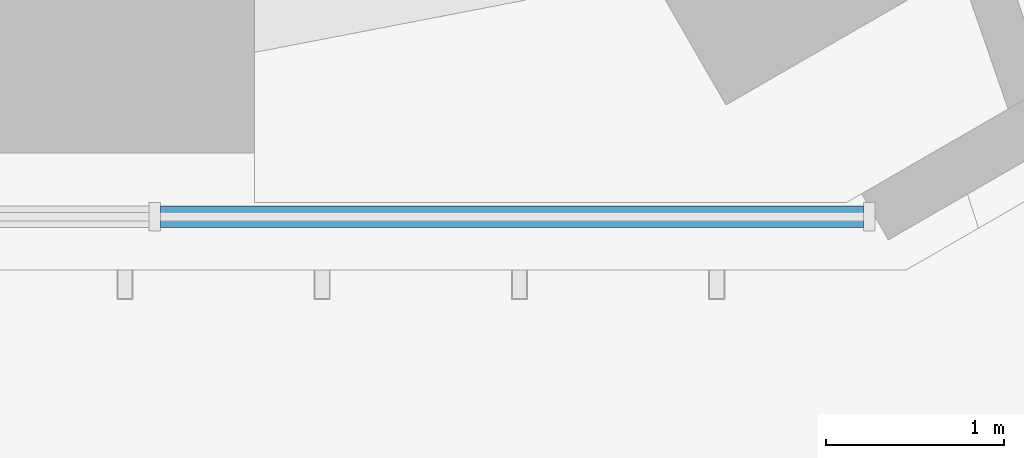
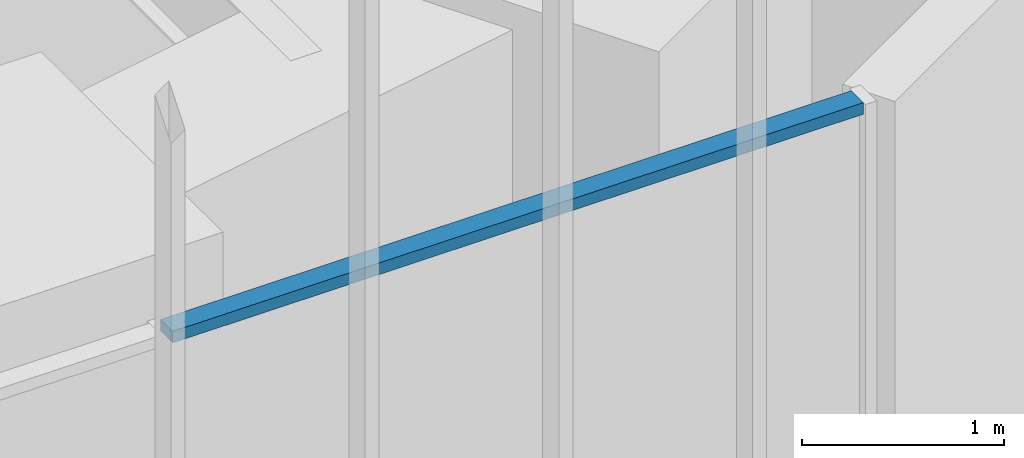
# One storey, part 72 of 228: 1 member, 1 element without a shape of its own.
"""IFC4 building model written with IfcOpenShell, lengths in metres."""

import ifcopenshell
import ifcopenshell.guid

model = None  # the IFC model being written
_history = None  # IfcOwnerHistory: only IFC2X3 demands one
_inside = {}  # id of a spatial element -> (the spatial element, [elements in it])
_under = {}  # id of a project, library or spatial element -> (it, [spatial elements below it])
_declared = {}  # id of a project -> (the project, [libraries it declares])
_typed = {}  # id of a type object -> (the type object, [elements of that type])
_made_of = {}  # id of a material, layer set ... -> (it, [elements and type objects made of it])


def new_model(schema):
    """Start an empty IFC model of exactly this schema.

    Asked for "IFC4X3", IfcOpenShell would pick the latest addendum, in which some entities
    have other attributes; the version numbers below select the first issue.
    IFC2X3 requires an IfcOwnerHistory on every rooted entity: one is made here for all.
    """
    global model, _history
    if schema == "IFC4X3":
        model = ifcopenshell.file(schema_version=(4, 3, 0, 0))
    else:
        model = ifcopenshell.file(schema=schema)
    _inside.clear()
    _under.clear()
    _declared.clear()
    _typed.clear()
    _made_of.clear()
    _history = None
    if model.schema == "IFC2X3":
        org = make("IfcOrganization", Name="unknown")
        user = make(
            "IfcPersonAndOrganization",
            ThePerson=make("IfcPerson", FamilyName="unknown"),
            TheOrganization=org,
        )
        app = make(
            "IfcApplication",
            ApplicationDeveloper=org,
            Version="unknown",
            ApplicationFullName="unknown",
            ApplicationIdentifier="unknown",
        )
        _history = make(
            "IfcOwnerHistory",
            OwningUser=user,
            OwningApplication=app,
            ChangeAction="ADDED",
            CreationDate=0,
        )
    return model


def make(cls, **values):
    """One entity of the class cls with the attributes given. An attribute that is None is left unset."""
    return model.create_entity(
        cls, **{name: value for name, value in values.items() if value is not None}
    )


def rooted(cls, **values):
    """An entity with a GlobalId (a new one), such as an element, a storey or a relation."""
    return make(cls, GlobalId=ifcopenshell.guid.new(), OwnerHistory=_history, **values)


def si_unit(unit_type, name, prefix=None):
    """IfcSIUnit, for example si_unit("LENGTHUNIT", "METRE", prefix="MILLI")."""
    return make("IfcSIUnit", UnitType=unit_type, Prefix=prefix, Name=name)


def assignment(units):
    """IfcUnitAssignment: the units of a project."""
    return None if units is None else make("IfcUnitAssignment", Units=units)


def point(xyz):
    """IfcCartesianPoint."""
    return None if xyz is None else make("IfcCartesianPoint", Coordinates=xyz)


def direction(xyz):
    """IfcDirection."""
    return None if xyz is None else make("IfcDirection", DirectionRatios=xyz)


def frame(location, z_axis=None, x_axis=None):
    """IfcAxis2Placement3D, a coordinate frame: its origin and axes. An axis left out is left unset."""
    return make(
        "IfcAxis2Placement3D",
        Location=point(location),
        Axis=direction(z_axis),
        RefDirection=direction(x_axis),
    )


def frame_2d(location, x_axis=None):
    """IfcAxis2Placement2D, a coordinate frame in the plane: its origin and x axis."""
    return make(
        "IfcAxis2Placement2D", Location=point(location), RefDirection=direction(x_axis)
    )


def origin():
    """The frame at (0, 0, 0) with its axes left unset."""
    return frame((0.0, 0.0, 0.0))


def origin_2d():
    """The frame at (0, 0) in the plane with its x axis left unset."""
    return frame_2d((0.0, 0.0))


def place(relative_to, where):
    """IfcLocalPlacement: puts the frame where relative to a parent placement (None: the world)."""
    return make(
        "IfcLocalPlacement", PlacementRelTo=relative_to, RelativePlacement=where
    )


def context(
    kind, dimensions, precision=None, world=None, true_north=None, identifier=None
):
    """IfcGeometricRepresentationContext, for example the 3D "Model" context."""
    return make(
        "IfcGeometricRepresentationContext",
        ContextIdentifier=identifier,
        ContextType=kind,
        CoordinateSpaceDimension=dimensions,
        Precision=precision,
        WorldCoordinateSystem=world,
        TrueNorth=true_north,
    )


def subcontext(parent, identifier, kind, view, scale=None):
    """IfcGeometricRepresentationSubContext, for example "Body" below "Model"."""
    return make(
        "IfcGeometricRepresentationSubContext",
        ContextIdentifier=identifier,
        ContextType=kind,
        ParentContext=parent,
        TargetScale=scale,
        TargetView=view,
    )


def project(units=None, contexts=None):
    """IfcProject with its units and contexts."""
    return rooted(
        "IfcProject",
        Name="project",
        RepresentationContexts=contexts,
        UnitsInContext=assignment(units),
    )


def spatial(cls, under=None, at=None, **own):
    """A site, building, storey or space (cls), placed at a placement, below another one or the project."""
    s = rooted(cls, ObjectPlacement=at, **own)
    if under is not None:
        _under.setdefault(under.id(), (under, []))[1].append(s)
    return s


def profile(cls, at=None, kind="AREA", **sizes):
    """A parametric profile (cls). Its sizes go by their IFC names, for example OverallWidth=200.0."""
    return make(cls, ProfileType=kind, Position=at, **sizes)


def rectangle(**sizes):
    """IfcRectangleProfileDef."""
    return profile("IfcRectangleProfileDef", **sizes)


def extrude(swept, where, along, depth):
    """IfcExtrudedAreaSolid: the profile swept, set in the frame where, extruded along a direction by depth."""
    return make(
        "IfcExtrudedAreaSolid",
        SweptArea=swept,
        Position=where,
        ExtrudedDirection=direction(along),
        Depth=depth,
    )


def shape(context_of_items, identifier, shape_type, items):
    """IfcShapeRepresentation: the items that make up one representation, for example the "Body"."""
    return make(
        "IfcShapeRepresentation",
        ContextOfItems=context_of_items,
        RepresentationIdentifier=identifier,
        RepresentationType=shape_type,
        Items=items,
    )


def material(Name=None, Category=None):
    """IfcMaterial."""
    return make("IfcMaterial", Name=Name, Category=Category)


def material_profile(
    of_material, cross_section, Name=None, Category=None, Priority=None
):
    """IfcMaterialProfile: a cross section and its material."""
    return make(
        "IfcMaterialProfile",
        Name=Name,
        Material=of_material,
        Profile=cross_section,
        Priority=Priority,
        Category=Category,
    )


def profile_set(profiles, Name=None, composite=None):
    """IfcMaterialProfileSet."""
    return make(
        "IfcMaterialProfileSet",
        Name=Name,
        MaterialProfiles=profiles,
        CompositeProfile=composite,
    )


def made_of(thing, what):
    """Note that an element or type object is made of a material, layer set ...; save() writes the relation."""
    if what is not None:
        _made_of.setdefault(what.id(), (what, []))[1].append(thing)
    return thing


def type_object(cls, material=None, **own):
    """A type object (cls), such as IfcWallType, which elements share."""
    return made_of(rooted(cls, **own), material)


def element(
    cls,
    number,
    at=None,
    inside=None,
    cuts=None,
    type_object=None,
    material=None,
    context=None,
    identifier="Body",
    shape_type=None,
    held_by="IfcProductDefinitionShape",
    body=None,
    shapes=None,
    **own,
):
    """One element of the class cls, such as IfcWall. Its Tag is "e" and its number.

    at: its placement. inside: the storey or other place that contains it. cuts: it is an
    opening in that element (IfcRelVoidsElement). A single representation is given by context,
    identifier, shape_type and body (its items); several are given by shapes. held_by: the class
    of the entity that holds the representations. save() writes the other relations.
    """
    e = rooted(cls, Tag="e%d" % number, ObjectPlacement=at, **own)
    if body is not None:
        shapes = [shape(context, identifier, shape_type, body)]
    if shapes is not None:
        e.Representation = make(held_by, Representations=shapes)
    if inside is not None:
        _inside.setdefault(inside.id(), (inside, []))[1].append(e)
    if cuts is not None:
        rooted(
            "IfcRelVoidsElement", RelatingBuildingElement=cuts, RelatedOpeningElement=e
        )
    if type_object is not None:
        _typed.setdefault(type_object.id(), (type_object, []))[1].append(e)
    return made_of(e, material)


def aggregate(whole, parts):
    """IfcRelAggregates: a whole, such as a stair, and the parts it consists of."""
    return rooted("IfcRelAggregates", RelatingObject=whole, RelatedObjects=parts)


def save(model, path):
    """Write the relations noted so far, then the file.

    IfcRelAggregates (storeys below a building ...), IfcRelContainedInSpatialStructure (elements
    in a storey), IfcRelDefinesByType, IfcRelAssociatesMaterial and IfcRelDeclares: one each for
    every whole, place, type object, material and project.
    """
    for whole, parts in _under.values():
        aggregate(whole, parts)
    for where, things in _inside.values():
        rooted(
            "IfcRelContainedInSpatialStructure",
            RelatedElements=things,
            RelatingStructure=where,
        )
    for kind, things in _typed.values():
        rooted("IfcRelDefinesByType", RelatedObjects=things, RelatingType=kind)
    for what, things in _made_of.values():
        rooted("IfcRelAssociatesMaterial", RelatedObjects=things, RelatingMaterial=what)
    for by, libraries in _declared.values():
        rooted("IfcRelDeclares", RelatingContext=by, RelatedDefinitions=libraries)
    model.write(path)


model = new_model("IFC4")

# Units and contexts
model_context = context("Model", 3, precision=1e-05, world=origin(), true_north=direction((0.0, 1.0)))
body_context = subcontext(model_context, "Body", "Model", "MODEL_VIEW")
ifc_project = project(units=[si_unit("LENGTHUNIT", "METRE"), si_unit("AREAUNIT", "SQUARE_METRE"), si_unit("VOLUMEUNIT", "CUBIC_METRE"), si_unit("PLANEANGLEUNIT", "RADIAN"), si_unit("MASSUNIT", "GRAM", prefix="KILO")], contexts=[model_context])

# Site, building, storey
site_placement = place(None, origin())
site = spatial("IfcSite", under=ifc_project, at=site_placement, CompositionType="ELEMENT")
building_placement = place(site_placement, origin())
building = spatial("IfcBuilding", under=site, at=building_placement, Name="Sandreach Pilgrim Tower", CompositionType="ELEMENT")
storey_placement = place(building_placement, frame((0.0, 0.0, 178.199951171875)))
storey = spatial("IfcBuildingStorey", under=building, at=storey_placement, Name="L44", CompositionType="ELEMENT", Elevation=178.199951171875)

# Curtain wall, member
ifc_material_1 = material(Name="Aluminium framed curtain wall", Category="aluminium")
curtain_wall_type = type_object("IfcCurtainWallType", Name="Upper hotel tower curtain wall", PredefinedType="NOTDEFINED", material=ifc_material_1)
curtain_wall_placement = place(storey_placement, origin())
curtain_wall = element("IfcCurtainWall", 1, at=curtain_wall_placement, inside=storey, type_object=curtain_wall_type, Name="CW-3 L44 SA", PredefinedType="NOTDEFINED")
ifc_material_2 = material(Name="Aluminium extrusion", Category="aluminium")
ifc_material_profile = material_profile(ifc_material_2, rectangle(XDim=0.1201171875, YDim=0.070068359375, at=origin_2d()), Name="CW-3T 120X70")
ifc_profile_set = profile_set([ifc_material_profile], Name="Aluminium extrusion")
member_type = type_object("IfcMemberType", Name="CW-3 transom", PredefinedType="USERDEFINED", material=ifc_profile_set)
member_placement = place(storey_placement, frame((8.032470703125, -26.525146484375, 4.804931640625), z_axis=(-1.0, 0.0, 0.0), x_axis=(0.0, -1.0, 0.0)))
member = element("IfcMember", 2, at=member_placement, type_object=member_type, Name="CW-3 head transom 1", ObjectType="TRANSOM", PredefinedType="USERDEFINED", context=body_context, shape_type="SweptSolid", body=[
    extrude(rectangle(XDim=0.1201171875, YDim=0.070068359375, at=origin_2d()), origin(), (0.0, 0.0, 1.0), 3.951171875),
])
aggregate(curtain_wall, [member])

save(model, "model.ifc")
